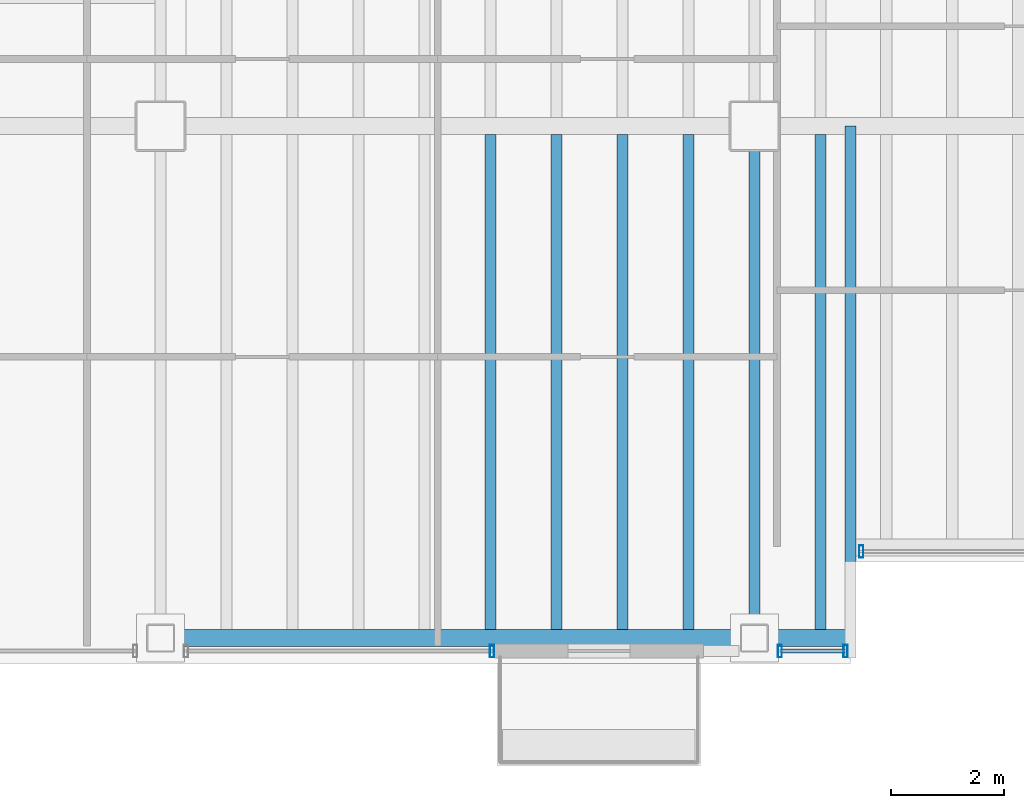
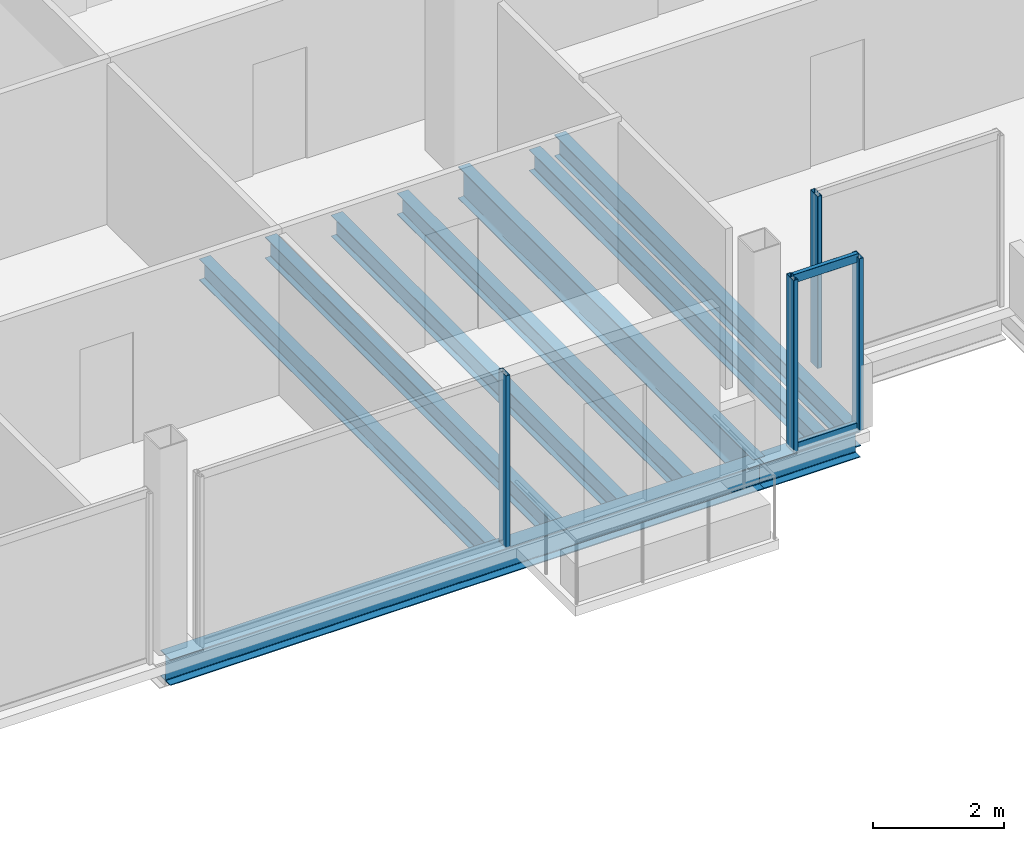
# One storey, part 5 of 22: 9 beams, 6 members, 3 elements without a shape of their own.
"""IFC4 building model written with IfcOpenShell, lengths in metres."""

from ifc_helpers import new_model, si_unit, direction, frame, origin, origin_2d, place, context, subcontext, project, spatial, hollow_rectangle, i_section, extrude, material, material_profile, profile_set, type_object, element, aggregate, save


model = new_model("IFC4")

# Units and contexts
model_context = context("Model", 3, precision=1e-05, world=origin(), true_north=direction((0.0, 1.0)))
body_context = subcontext(model_context, "Body", "Model", "MODEL_VIEW")
ifc_project = project(units=[si_unit("LENGTHUNIT", "METRE"), si_unit("AREAUNIT", "SQUARE_METRE"), si_unit("VOLUMEUNIT", "CUBIC_METRE"), si_unit("PLANEANGLEUNIT", "RADIAN"), si_unit("MASSUNIT", "GRAM", prefix="KILO")], contexts=[model_context])

# Site, building, storey
site_placement = place(None, origin())
site = spatial("IfcSite", under=ifc_project, at=site_placement, CompositionType="ELEMENT")
building_placement = place(site_placement, origin())
building = spatial("IfcBuilding", under=site, at=building_placement, Name="Noeulbin Bourse Tower", CompositionType="ELEMENT")
storey_placement = place(building_placement, frame((0.0, 0.0, 130.5)))
storey = spatial("IfcBuildingStorey", under=building, at=storey_placement, Name="L32", CompositionType="ELEMENT", Elevation=130.5)

# Beams
ifc_material_1 = material(Name="Steel S355", Category="steel")
ifc_material_profile_1 = material_profile(ifc_material_1, i_section(OverallWidth=0.199951171875, OverallDepth=0.60009765625, WebThickness=0.010986328125, FlangeThickness=0.01708984375, FilletRadius=0.02197265625, at=origin_2d()), Name="H-600x200x11x17", Category="LoadBearing")
ifc_profile_set_1 = profile_set([ifc_material_profile_1], Name="Steel S355")
beam_type_1 = type_object("IfcBeamType", Name="BM-GRD-600", PredefinedType="USERDEFINED", material=ifc_profile_set_1)
beam_1_placement = place(storey_placement, frame((24.0, 10.949951171875, -0.47998046875), z_axis=(0.0, 1.0, 0.0), x_axis=(-1.0, 0.0, 0.0)))
element("IfcBeam", 1, at=beam_1_placement, inside=storey, type_object=beam_type_1, Name="Tower Primary Girder NS L32-2.1", ObjectType="GIRDER", PredefinedType="USERDEFINED", context=body_context, shape_type="SweptSolid", body=[
    extrude(i_section(OverallWidth=0.199951171875, OverallDepth=0.60009765625, WebThickness=0.010986328125, FlangeThickness=0.01708984375, FilletRadius=0.02197265625, at=origin_2d()), origin(), (0.0, 0.0, 1.0), 9.050048828125),
])
ifc_material_profile_2 = material_profile(ifc_material_1, i_section(OverallWidth=0.199951171875, OverallDepth=0.39990234375, WebThickness=0.008056640625, FlangeThickness=0.012939453125, FilletRadius=0.01611328125, at=origin_2d()), Name="H-400x200x8x13", Category="LoadBearing")
ifc_profile_set_2 = profile_set([ifc_material_profile_2], Name="Steel S355")
beam_type_2 = type_object("IfcBeamType", Name="BM-SEC-400", PredefinedType="BEAM", material=ifc_profile_set_2)
beam_2_placement = place(storey_placement, frame((25.699951171875, 10.949951171875, -0.3798828125), z_axis=(0.0, 1.0, 0.0), x_axis=(-1.0, 0.0, 0.0)))
element("IfcBeam", 2, at=beam_2_placement, inside=storey, type_object=beam_type_2, Name="BM-L32-SRT-W", PredefinedType="BEAM", context=body_context, shape_type="SweptSolid", body=[
    extrude(i_section(OverallWidth=0.199951171875, OverallDepth=0.39990234375, WebThickness=0.008056640625, FlangeThickness=0.012939453125, FilletRadius=0.01611328125, at=origin_2d()), origin(), (0.0, 0.0, 1.0), 9.050048828125),
])
for number, where, z_axis, x_axis, name in (
    (3, (19.333251953125, 11.10009765625, -0.3798828125), (0.0, 1.0, 0.0), (-1.0, 0.0, 0.0), "Tower Composite Joist L32-09"),
    (4, (20.5, 11.10009765625, -0.3798828125), (0.0, 1.0, 0.0), (-1.0, 0.0, 0.0), "Tower Composite Joist L32-11"),
    (5, (21.666748046875, 11.10009765625, -0.3798828125), (0.0, 1.0, 0.0), (-1.0, 0.0, 0.0), "Tower Composite Joist L32-13"),
    (6, (22.833251953125, 11.10009765625, -0.3798828125), (0.0, 1.0, 0.0), (-1.0, 0.0, 0.0), "Tower Composite Joist L32-15"),
    (7, (25.166748046875, 11.10009765625, -0.3798828125), (0.0, 1.0, 0.0), (-1.0, 0.0, 0.0), "Tower Composite Joist L32-17"),
):
    element("IfcBeam", number, at=place(storey_placement, frame(where, z_axis=z_axis, x_axis=x_axis)), inside=storey, type_object=beam_type_2, Name=name, PredefinedType="BEAM", context=body_context, shape_type="SweptSolid", body=[
        extrude(i_section(OverallWidth=0.199951171875, OverallDepth=0.39990234375, WebThickness=0.008056640625, FlangeThickness=0.012939453125, FilletRadius=0.01611328125, at=origin_2d()), origin(), (0.0, 0.0, 1.0), 8.75),
    ])
ifc_material_profile_3 = material_profile(ifc_material_1, i_section(OverallWidth=0.300048828125, OverallDepth=0.488037109375, WebThickness=0.010986328125, FlangeThickness=0.01806640625, FilletRadius=0.02197265625, at=origin_2d()), Name="H-488x300x11x18", Category="LoadBearing")
ifc_profile_set_3 = profile_set([ifc_material_profile_3], Name="Steel S355")
beam_type_3 = type_object("IfcBeamType", Name="BM-SPN-488", PredefinedType="SPANDREL", material=ifc_profile_set_3)
beam_3_placement = place(storey_placement, frame((13.5, 10.949951171875, -0.424072265625), z_axis=(1.0, 0.0, 0.0), x_axis=(0.0, 1.0, 0.0)))
element("IfcBeam", 8, at=beam_3_placement, inside=storey, type_object=beam_type_3, Name="South Spandrel L32-1", PredefinedType="SPANDREL", context=body_context, shape_type="SweptSolid", body=[
    extrude(i_section(OverallWidth=0.300048828125, OverallDepth=0.488037109375, WebThickness=0.010986328125, FlangeThickness=0.01806640625, FilletRadius=0.02197265625, at=origin_2d()), origin(), (0.0, 0.0, 1.0), 10.5),
])
beam_4_placement = place(storey_placement, frame((24.0, 10.949951171875, -0.424072265625), z_axis=(1.0, 0.0, 0.0), x_axis=(0.0, 1.0, 0.0)))
element("IfcBeam", 9, at=beam_4_placement, inside=storey, type_object=beam_type_3, Name="South Spandrel L32-2A", PredefinedType="SPANDREL", context=body_context, shape_type="SweptSolid", body=[
    extrude(i_section(OverallWidth=0.300048828125, OverallDepth=0.488037109375, WebThickness=0.010986328125, FlangeThickness=0.01806640625, FilletRadius=0.02197265625, at=origin_2d()), origin(), (0.0, 0.0, 1.0), 1.699951171875),
])

# Curtain wall, member
ifc_material_2 = material(Name="Dark Tinted Triple Glazing", Category="glass")
curtain_wall_type = type_object("IfcCurtainWallType", Name="CW-SYS-3", PredefinedType="NOTDEFINED", material=ifc_material_2)
curtain_wall_1_placement = place(storey_placement, origin())
curtain_wall_1 = element("IfcCurtainWall", 10, at=curtain_wall_1_placement, inside=storey, type_object=curtain_wall_type, Name="Unitised Curtain Wall CW-L32-SREC", PredefinedType="NOTDEFINED")
ifc_material_3 = material(Name="Anodised Aluminium 6063-T6", Category="aluminium")
ifc_material_profile_4 = material_profile(ifc_material_3, hollow_rectangle(XDim=0.074951171875, YDim=0.219970703125, WallThickness=0.0048828125, InnerFilletRadius=0.00244140625, OuterFilletRadius=0.0048828125, at=origin_2d()), Name="ALU-MULL-75x220x5", Category="LoadBearing")
ifc_profile_set_4 = profile_set([ifc_material_profile_4], Name="Anodised Aluminium 6063-T6")
member_type_1 = type_object("IfcMemberType", Name="CW-SYS-3-MUL", PredefinedType="MULLION", material=ifc_profile_set_4)
member_1_placement = place(storey_placement, frame((25.889892578125, 12.47998046875, -0.02001953125), z_axis=(0.0, 0.0, 1.0), x_axis=(1.0, 0.0, 0.0)))
member_1 = element("IfcMember", 11, at=member_1_placement, type_object=member_type_1, Name="Curtain Wall Mullion CW-L32-SREC-M00", PredefinedType="MULLION", context=body_context, shape_type="SweptSolid", body=[
    extrude(hollow_rectangle(XDim=0.074951171875, YDim=0.219970703125, WallThickness=0.0048828125, InnerFilletRadius=0.00244140625, OuterFilletRadius=0.0048828125, at=origin_2d()), origin(), (0.0, 0.0, 1.0), 3.219970703125),
])
aggregate(curtain_wall_1, [member_1])

curtain_wall_2_placement = place(storey_placement, origin())
curtain_wall_2 = element("IfcCurtainWall", 12, at=curtain_wall_2_placement, inside=storey, type_object=curtain_wall_type, Name="Unitised Curtain Wall CW-L32-S1-S2", PredefinedType="NOTDEFINED")
member_2_placement = place(storey_placement, frame((19.360107421875, 10.719970703125, -0.02001953125), z_axis=(0.0, 0.0, 1.0), x_axis=(1.0, 0.0, 0.0)))
member_2 = element("IfcMember", 13, at=member_2_placement, type_object=member_type_1, Name="Curtain Wall Mullion CW-L32-S1-S2-M01", PredefinedType="MULLION", context=body_context, shape_type="SweptSolid", body=[
    extrude(hollow_rectangle(XDim=0.074951171875, YDim=0.219970703125, WallThickness=0.0048828125, InnerFilletRadius=0.00244140625, OuterFilletRadius=0.0048828125, at=origin_2d()), origin(), (0.0, 0.0, 1.0), 3.219970703125),
])
aggregate(curtain_wall_2, [member_2])

# Curtain wall, members
curtain_wall_3_placement = place(storey_placement, origin())
curtain_wall_3 = element("IfcCurtainWall", 14, at=curtain_wall_3_placement, inside=storey, type_object=curtain_wall_type, Name="Unitised Curtain Wall CW-L32-S2", PredefinedType="NOTDEFINED")
member_3_placement = place(storey_placement, frame((24.449951171875, 10.719970703125, -0.02001953125), z_axis=(0.0, 0.0, 1.0), x_axis=(1.0, 0.0, 0.0)))
member_3 = element("IfcMember", 15, at=member_3_placement, type_object=member_type_1, Name="Curtain Wall Mullion CW-L32-S2-M00", PredefinedType="MULLION", context=body_context, shape_type="SweptSolid", body=[
    extrude(hollow_rectangle(XDim=0.074951171875, YDim=0.219970703125, WallThickness=0.0048828125, InnerFilletRadius=0.00244140625, OuterFilletRadius=0.0048828125, at=origin_2d()), origin(), (0.0, 0.0, 1.0), 3.219970703125),
])
member_4_placement = place(storey_placement, frame((25.610107421875, 10.719970703125, -0.02001953125), z_axis=(0.0, 0.0, 1.0), x_axis=(1.0, 0.0, 0.0)))
member_4 = element("IfcMember", 16, at=member_4_placement, type_object=member_type_1, Name="Curtain Wall Mullion CW-L32-S2-M01", PredefinedType="MULLION", context=body_context, shape_type="SweptSolid", body=[
    extrude(hollow_rectangle(XDim=0.074951171875, YDim=0.219970703125, WallThickness=0.0048828125, InnerFilletRadius=0.00244140625, OuterFilletRadius=0.0048828125, at=origin_2d()), origin(), (0.0, 0.0, 1.0), 3.219970703125),
])
ifc_material_profile_5 = material_profile(ifc_material_3, hollow_rectangle(XDim=0.074951171875, YDim=0.159912109375, WallThickness=0.0048828125, InnerFilletRadius=0.00244140625, OuterFilletRadius=0.0048828125, at=origin_2d()), Name="ALU-TRAN-75x160x5", Category="LoadBearing")
ifc_profile_set_5 = profile_set([ifc_material_profile_5], Name="Anodised Aluminium 6063-T6")
member_type_2 = type_object("IfcMemberType", Name="CW-SYS-3-TRN", PredefinedType="USERDEFINED", material=ifc_profile_set_5)
member_5_placement = place(storey_placement, frame((24.4599609375, 10.719970703125, 0.010009765625), z_axis=(1.0, 0.0, 0.0), x_axis=(0.0, 1.0, 0.0)))
member_5 = element("IfcMember", 17, at=member_5_placement, type_object=member_type_2, Name="Curtain Wall Transom CW-L32-S2-T00", ObjectType="TRANSOM", PredefinedType="USERDEFINED", context=body_context, shape_type="SweptSolid", body=[
    extrude(hollow_rectangle(XDim=0.074951171875, YDim=0.159912109375, WallThickness=0.0048828125, InnerFilletRadius=0.00244140625, OuterFilletRadius=0.0048828125, at=origin_2d()), origin(), (0.0, 0.0, 1.0), 1.14013671875),
])
member_6_placement = place(storey_placement, frame((24.4599609375, 10.719970703125, 3.169921875), z_axis=(1.0, 0.0, 0.0), x_axis=(0.0, 1.0, 0.0)))
member_6 = element("IfcMember", 18, at=member_6_placement, type_object=member_type_2, Name="Curtain Wall Transom CW-L32-S2-T01", ObjectType="TRANSOM", PredefinedType="USERDEFINED", context=body_context, shape_type="SweptSolid", body=[
    extrude(hollow_rectangle(XDim=0.074951171875, YDim=0.159912109375, WallThickness=0.0048828125, InnerFilletRadius=0.00244140625, OuterFilletRadius=0.0048828125, at=origin_2d()), origin(), (0.0, 0.0, 1.0), 1.14013671875),
])
aggregate(curtain_wall_3, [member_3, member_4, member_5, member_6])

save(model, "model.ifc")
